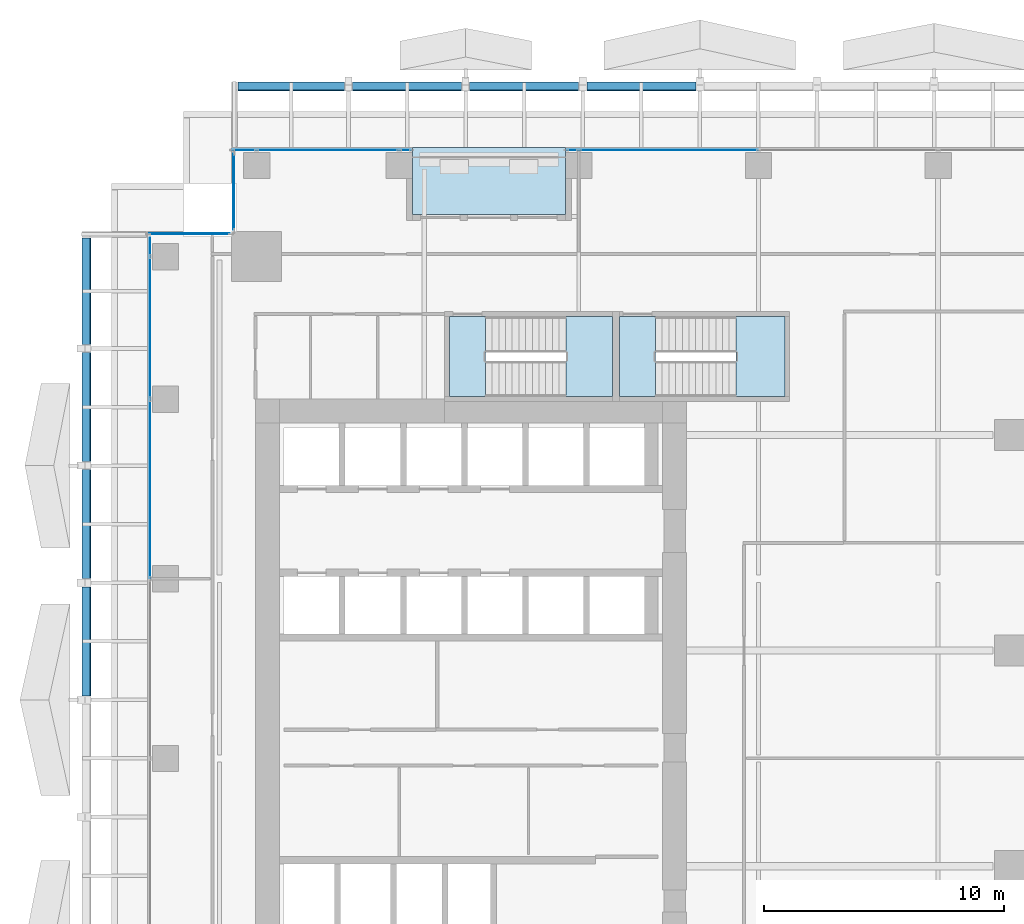
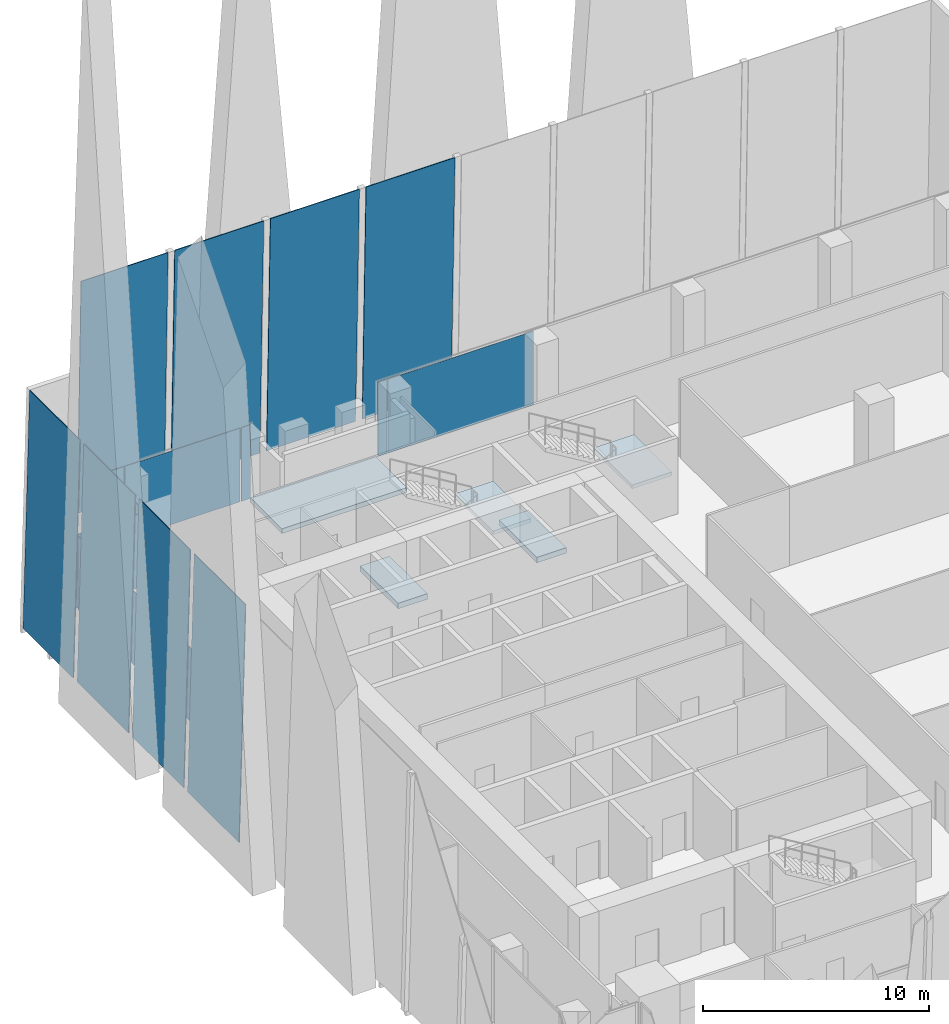
# One storey, part 26 of 37: 18 plates, 5 slabs, 7 elements without a shape of their own.
"""IFC4 building model written with IfcOpenShell, lengths in metres."""

from ifc_helpers import new_model, si_unit, direction, frame, origin, origin_2d, place, context, subcontext, project, spatial, polyline, rectangle, outline, extrude, source, transform, mapped, material, layer, layer_set, type_object, element, aggregate, save


model = new_model("IFC4")

# Units and contexts
model_context = context("Model", 3, precision=1e-05, world=origin(), true_north=direction((0.0, 1.0)))
body_context = subcontext(model_context, "Body", "Model", "MODEL_VIEW")
ifc_project = project(units=[si_unit("LENGTHUNIT", "METRE"), si_unit("AREAUNIT", "SQUARE_METRE"), si_unit("VOLUMEUNIT", "CUBIC_METRE"), si_unit("PLANEANGLEUNIT", "RADIAN"), si_unit("MASSUNIT", "GRAM", prefix="KILO")], contexts=[model_context])

# Site, building, storey
site_placement = place(None, origin())
site = spatial("IfcSite", under=ifc_project, at=site_placement, CompositionType="ELEMENT")
building_placement = place(site_placement, origin())
building = spatial("IfcBuilding", under=site, at=building_placement, Name="Khomas Fold Tower", CompositionType="ELEMENT")
storey_placement = place(building_placement, frame((0.0, 0.0, 101.5)))
storey = spatial("IfcBuildingStorey", under=building, at=storey_placement, Name="L21", CompositionType="ELEMENT", Elevation=101.5)

# Plates
ifc_material_1 = material(Name="Clear laminated glass", Category="glass")
ifc_layer_1 = layer(ifc_material_1, 0.0400390625)
ifc_layer_set_1 = layer_set([ifc_layer_1], Name="Clear laminated glass")
plate_type_1 = type_object("IfcPlateType", Name="SK-Clear laminated glass leaf", PredefinedType="SHEET", material=ifc_layer_set_1)
plate_1_placement = place(storey_placement, frame((5.27001953125, 55.239990234375, 0.0009765625), z_axis=(0.0, 0.9996570913, 0.026185870498), x_axis=(1.0, 0.0, 0.0)))
element("IfcPlate", 1, at=plate_1_placement, inside=storey, type_object=plate_type_1, Name="OUTER SKIN glass L21 N1", PredefinedType="SHEET", context=body_context, shape_type="SweptSolid", body=[
    extrude(outline(polyline([(0.0, 0.0), (4.448974609375, 0.0), (4.448974609375, -12.754373585666377), (0.0, -12.754373585666377), (0.0, 0.0)])), origin(), (0.0, 0.0, -1.0), 0.0400390625),
])
for number, where, z_axis, x_axis, name in (
    (2, (10.058837890625, 55.239990234375, 0.0009765625), (0.0, 0.9996570913, 0.026185870498), (1.0, 0.0, 0.0), "OUTER SKIN glass L21 N3"),
    (3, (14.94775390625, 55.239990234375, 0.0009765625), (0.0, 0.9996570913, 0.026185870498), (1.0, 0.0, 0.0), "OUTER SKIN glass L21 N5"),
    (4, (19.836669921875, 55.239990234375, 0.0009765625), (0.0, 0.9996570913, 0.026185870498), (1.0, 0.0, 0.0), "OUTER SKIN glass L21 N7"),
    (5, (-1.239990234375, 29.614501953125, 0.0009765625), (-0.9996570913, 0.0, 0.026185870498), (0.0, 1.0, 0.0), "OUTER SKIN glass L21 W11"),
    (6, (-1.239990234375, 34.50341796875, 0.0009765625), (-0.9996570913, 0.0, 0.026185870498), (0.0, 1.0, 0.0), "OUTER SKIN glass L21 W13"),
    (7, (-1.239990234375, 39.392333984375, 0.0009765625), (-0.9996570913, 0.0, 0.026185870498), (0.0, 1.0, 0.0), "OUTER SKIN glass L21 W15"),
):
    element("IfcPlate", number, at=place(storey_placement, frame(where, z_axis=z_axis, x_axis=x_axis)), inside=storey, type_object=plate_type_1, Name=name, PredefinedType="SHEET", context=body_context, shape_type="SweptSolid", body=[
        extrude(outline(polyline([(0.0, 0.0), (4.548828125, 0.0), (4.548828125, -12.754373585666377), (0.0, -12.754373585666377), (0.0, 0.0)])), origin(), (0.0, 0.0, -1.0), 0.0400390625),
    ])
plate_2_placement = place(storey_placement, frame((-1.239990234375, 44.281005859375, 0.0009765625), z_axis=(-0.9996570913, 0.0, 0.026185870498), x_axis=(0.0, 1.0, 0.0)))
element("IfcPlate", 8, at=plate_2_placement, inside=storey, type_object=plate_type_1, Name="OUTER SKIN glass L21 W17", PredefinedType="SHEET", context=body_context, shape_type="SweptSolid", body=[
    extrude(outline(polyline([(0.0, 0.0), (4.448974609375, 0.0), (4.448974609375, -12.754373585666377), (0.0, -12.754373585666377), (0.0, 0.0)])), origin(), (0.0, 0.0, -1.0), 0.0400390625),
])

# Curtain wall, plate
ifc_material_2 = material(Name="Aluminium framed double glazing", Category="aluminium")
curtain_wall_type = type_object("IfcCurtainWallType", Name="SK-Unitised clear-glass wall, growing floors CW1", PredefinedType="NOTDEFINED", material=ifc_material_2)
curtain_wall_1_placement = place(storey_placement, origin())
curtain_wall_1 = element("IfcCurtainWall", 9, at=curtain_wall_1_placement, inside=storey, type_object=curtain_wall_type, Name="CW1 run L21 09-0", PredefinedType="NOTDEFINED")
ifc_material_3 = material(Name="Clear double glazed unit")
ifc_layer_2 = layer(ifc_material_3, 0.031982421875)
ifc_layer_set_2 = layer_set([ifc_layer_2], Name="Clear double glazed unit")
plate_type_2 = type_object("IfcPlateType", Name="SK-Unitised clear-glass wall, growing floors glass panel CW1-P", PredefinedType="CURTAIN_PANEL", material=ifc_layer_set_2)
shared_shape_1 = source(origin(), body_context, "Body", "SweptSolid", [
    extrude(rectangle(XDim=0.760009765625, YDim=0.031982421875, at=origin_2d()), origin(), (0.0, 0.0, 1.0), 3.97998046875),
])
plate_3_placement = place(storey_placement, frame((1.60009765625, 48.360107421875, 0.0), z_axis=(0.0, 0.0, 1.0), x_axis=(0.0, -1.0, 0.0)))
plate_3 = element("IfcPlate", 10, at=plate_3_placement, type_object=plate_type_2, Name="CW1 glass panel 1", PredefinedType="CURTAIN_PANEL", context=body_context, shape_type="MappedRepresentation", body=[
    mapped(shared_shape_1, transform((0.0, 0.0, 0.0))),
])

curtain_wall_2_placement = place(storey_placement, origin())
curtain_wall_2 = element("IfcCurtainWall", 11, at=curtain_wall_2_placement, inside=storey, type_object=curtain_wall_type, Name="CW1 run L21 06-1", PredefinedType="NOTDEFINED")
shared_shape_2 = source(origin(), body_context, "Body", "SweptSolid", [
    extrude(rectangle(XDim=5.889892578125, YDim=0.031982421875, at=origin_2d()), origin(), (0.0, 0.0, 1.0), 3.97998046875),
])
plate_4_placement = place(storey_placement, frame((9.02490234375, 52.39990234375, 0.0), z_axis=(0.0, 0.0, 1.0), x_axis=(-1.0, 0.0, 0.0)))
plate_4 = element("IfcPlate", 12, at=plate_4_placement, type_object=plate_type_2, Name="CW1 glass panel 2", PredefinedType="CURTAIN_PANEL", context=body_context, shape_type="MappedRepresentation", body=[
    mapped(shared_shape_2, transform((0.0, 0.0, 0.0))),
])

# Plate
plate_5_placement = place(storey_placement, frame((1.60009765625, 44.97509765625, 0.0), z_axis=(0.0, 0.0, 1.0), x_axis=(0.0, -1.0, 0.0)))
plate_5 = element("IfcPlate", 13, at=plate_5_placement, type_object=plate_type_2, Name="CW1 glass panel 2", PredefinedType="CURTAIN_PANEL", context=body_context, shape_type="MappedRepresentation", body=[
    mapped(shared_shape_2, transform((0.0, 0.0, 0.0))),
])

# Curtain wall, plate
curtain_wall_3_placement = place(storey_placement, origin())
curtain_wall_3 = element("IfcCurtainWall", 14, at=curtain_wall_3_placement, inside=storey, type_object=curtain_wall_type, Name="CW1 run L21 06-0", PredefinedType="NOTDEFINED")
shared_shape_3 = source(origin(), body_context, "Body", "SweptSolid", [
    extrude(rectangle(XDim=7.43994140625, YDim=0.031982421875, at=origin_2d()), origin(), (0.0, 0.0, 1.0), 3.97998046875),
])
plate_6_placement = place(storey_placement, frame((23.25, 52.39990234375, 0.0), z_axis=(0.0, 0.0, 1.0), x_axis=(-1.0, 0.0, 0.0)))
plate_6 = element("IfcPlate", 15, at=plate_6_placement, type_object=plate_type_2, Name="CW1 glass panel 5", PredefinedType="CURTAIN_PANEL", context=body_context, shape_type="MappedRepresentation", body=[
    mapped(shared_shape_3, transform((0.0, 0.0, 0.0))),
])

# Plate
plate_7_placement = place(storey_placement, frame((1.60009765625, 38.25, 0.0), z_axis=(0.0, 0.0, 1.0), x_axis=(0.0, -1.0, 0.0)))
plate_7 = element("IfcPlate", 16, at=plate_7_placement, type_object=plate_type_2, Name="CW1 glass panel 3", PredefinedType="CURTAIN_PANEL", context=body_context, shape_type="MappedRepresentation", body=[
    mapped(shared_shape_3, transform((0.0, 0.0, 0.0))),
])

aggregate(curtain_wall_1, [plate_3, plate_5, plate_7])

shared_shape_4 = source(origin(), body_context, "Body", "SweptSolid", [
    extrude(rectangle(XDim=0.9599609375, YDim=0.031982421875, at=origin_2d()), origin(), (0.0, 0.0, 1.0), 3.97998046875),
])
plate_8_placement = place(storey_placement, frame((5.5400390625, 52.39990234375, 0.0), z_axis=(0.0, 0.0, 1.0), x_axis=(-1.0, 0.0, 0.0)))
plate_8 = element("IfcPlate", 17, at=plate_8_placement, type_object=plate_type_2, Name="CW1 glass panel 3", PredefinedType="CURTAIN_PANEL", context=body_context, shape_type="MappedRepresentation", body=[
    mapped(shared_shape_4, transform((0.0, 0.0, 0.0))),
])

# Curtain wall, plate
curtain_wall_4_placement = place(storey_placement, origin())
curtain_wall_4 = element("IfcCurtainWall", 18, at=curtain_wall_4_placement, inside=storey, type_object=curtain_wall_type, Name="CW1 corner return L21 07", PredefinedType="NOTDEFINED")
shared_shape_5 = source(origin(), body_context, "Body", "SweptSolid", [
    extrude(rectangle(XDim=3.179931640625, YDim=0.031982421875, at=origin_2d()), origin(), (0.0, 0.0, 1.0), 3.97998046875),
])
plate_9_placement = place(storey_placement, frame((5.10009765625, 50.64990234375, 0.0), z_axis=(0.0, 0.0, 1.0), x_axis=(0.0, -1.0, 0.0)))
plate_9 = element("IfcPlate", 19, at=plate_9_placement, type_object=plate_type_2, Name="CW1 glass panel 1", PredefinedType="CURTAIN_PANEL", context=body_context, shape_type="MappedRepresentation", body=[
    mapped(shared_shape_5, transform((0.0, 0.0, 0.0))),
])
aggregate(curtain_wall_4, [plate_9])

curtain_wall_5_placement = place(storey_placement, origin())
curtain_wall_5 = element("IfcCurtainWall", 20, at=curtain_wall_5_placement, inside=storey, type_object=curtain_wall_type, Name="CW1 corner return L21 08", PredefinedType="NOTDEFINED")
shared_shape_6 = source(origin(), body_context, "Body", "SweptSolid", [
    extrude(rectangle(XDim=3.3798828125, YDim=0.031982421875, at=origin_2d()), origin(), (0.0, 0.0, 1.0), 3.97998046875),
])
plate_10_placement = place(storey_placement, frame((3.25, 48.89990234375, 0.0), z_axis=(0.0, 0.0, 1.0), x_axis=(-1.0, 0.0, 0.0)))
plate_10 = element("IfcPlate", 21, at=plate_10_placement, type_object=plate_type_2, Name="CW1 glass panel 1", PredefinedType="CURTAIN_PANEL", context=body_context, shape_type="MappedRepresentation", body=[
    mapped(shared_shape_6, transform((0.0, 0.0, 0.0))),
])
aggregate(curtain_wall_5, [plate_10])

# Plate
shared_shape_7 = source(origin(), body_context, "Body", "SweptSolid", [
    extrude(rectangle(XDim=0.4599609375, YDim=0.031982421875, at=origin_2d()), origin(), (0.0, 0.0, 1.0), 3.97998046875),
])
plate_11_placement = place(storey_placement, frame((19.239990234375, 52.39990234375, 0.0), z_axis=(0.0, 0.0, 1.0), x_axis=(-1.0, 0.0, 0.0)))
plate_11 = element("IfcPlate", 22, at=plate_11_placement, type_object=plate_type_2, Name="CW1 glass panel 6", PredefinedType="CURTAIN_PANEL", context=body_context, shape_type="MappedRepresentation", body=[
    mapped(shared_shape_7, transform((0.0, 0.0, 0.0))),
])

aggregate(curtain_wall_3, [plate_6, plate_11])

plate_12_placement = place(storey_placement, frame((12.260009765625, 52.39990234375, 0.0), z_axis=(0.0, 0.0, 1.0), x_axis=(-1.0, 0.0, 0.0)))
plate_12 = element("IfcPlate", 23, at=plate_12_placement, type_object=plate_type_2, Name="CW1 glass panel 1", PredefinedType="CURTAIN_PANEL", context=body_context, shape_type="MappedRepresentation", body=[
    mapped(shared_shape_7, transform((0.0, 0.0, 0.0))),
])

aggregate(curtain_wall_2, [plate_12, plate_4, plate_8])

# Slab
ifc_material_4 = material(Name="Concrete C40/50", Category="concrete")
ifc_layer_3 = layer(ifc_material_4, 0.2548828125)
ifc_layer_set_3 = layer_set([ifc_layer_3], Name="Concrete C40/50")
slab_type_1 = type_object("IfcSlabType", Name="BL-Balcony deck 255", PredefinedType="FLOOR", material=ifc_layer_set_3)
shared_shape_8 = source(origin(), body_context, "Body", "SweptSolid", [
    extrude(outline(polyline([(12.550048828125, 49.699951171875), (18.949951171875, 49.699951171875), (18.949951171875, 52.5), (12.550048828125, 52.5), (12.550048828125, 49.699951171875)])), origin(), (0.0, 0.0, 1.0), 0.255126953125),
])
slab_1_placement = place(storey_placement, frame((0.0, 0.0, -0.300048828125)))
element("IfcSlab", 24, at=slab_1_placement, inside=storey, type_object=slab_type_1, Name="Balcony deck BAL-L21-N1", PredefinedType="FLOOR", context=body_context, shape_type="MappedRepresentation", body=[
    mapped(shared_shape_8, transform((0.0, 0.0, 0.0))),
])

# Stair, slab
ifc_material_5 = material(Name="Concrete C40/50", Category="concrete")
stair_type_1 = type_object("IfcStairType", Name="Stair ST1", PredefinedType="HALF_TURN_STAIR", material=ifc_material_5)
stair_1_placement = place(storey_placement, origin())
stair_1 = element("IfcStair", 25, at=stair_1_placement, inside=storey, type_object=stair_type_1, Name="L21 ST1", PredefinedType="HALF_TURN_STAIR")
ifc_material_6 = material(Name="Concrete C40/50", Category="concrete")
ifc_layer_4 = layer(ifc_material_6, 0.199951171875)
ifc_layer_set_4 = layer_set([ifc_layer_4], Name="Concrete C40/50")
slab_type_2 = type_object("IfcSlabType", Name="Stair landing 200", PredefinedType="LANDING", material=ifc_layer_set_4)
shared_shape_9 = source(origin(), body_context, "Body", "SweptSolid", [
    extrude(outline(polyline([(18.9599609375, 42.10009765625), (20.89990234375, 42.10009765625), (20.89990234375, 45.449951171875), (18.9599609375, 45.449951171875), (18.9599609375, 42.10009765625)])), origin(), (0.0, 0.0, 1.0), 0.199951171875),
])
slab_2_placement = place(storey_placement, frame((0.0, 0.0, 2.0)))
slab_2 = element("IfcSlab", 26, at=slab_2_placement, type_object=slab_type_2, Name="ST1 landing 1", PredefinedType="LANDING", context=body_context, shape_type="MappedRepresentation", body=[
    mapped(shared_shape_9, transform((0.0, 0.0, 0.0))),
])
aggregate(stair_1, [slab_2])

# Slab
ifc_material_7 = material(Name="Concrete C40/50", Category="concrete")
ifc_layer_5 = layer(ifc_material_7, 0.300048828125)
ifc_layer_set_5 = layer_set([ifc_layer_5], Name="Concrete C40/50")
slab_type_3 = type_object("IfcSlabType", Name="Stair floor landing 300", PredefinedType="LANDING", material=ifc_layer_set_5)
shared_shape_10 = source(origin(), body_context, "Body", "SweptSolid", [
    extrude(outline(polyline([(15.60009765625, 42.10009765625), (14.10009765625, 42.10009765625), (14.10009765625, 45.449951171875), (15.60009765625, 45.449951171875), (15.60009765625, 42.10009765625)])), origin(), (0.0, 0.0, 1.0), 0.300048828125),
])
slab_3_placement = place(storey_placement, frame((0.0, 0.0, -0.300048828125)))
element("IfcSlab", 27, at=slab_3_placement, inside=storey, type_object=slab_type_3, Name="ST1 floor landing", PredefinedType="LANDING", context=body_context, shape_type="MappedRepresentation", body=[
    mapped(shared_shape_10, transform((0.0, 0.0, 0.0))),
])

# Stair, slab
ifc_material_8 = material(Name="Concrete C40/50", Category="concrete")
stair_type_2 = type_object("IfcStairType", Name="Stair ST3", PredefinedType="HALF_TURN_STAIR", material=ifc_material_8)
stair_2_placement = place(storey_placement, origin())
stair_2 = element("IfcStair", 28, at=stair_2_placement, inside=storey, type_object=stair_type_2, Name="L21 ST3", PredefinedType="HALF_TURN_STAIR")
shared_shape_11 = source(origin(), body_context, "Body", "SweptSolid", [
    extrude(outline(polyline([(26.06005859375, 42.10009765625), (28.10009765625, 42.10009765625), (28.10009765625, 45.449951171875), (26.06005859375, 45.449951171875), (26.06005859375, 42.10009765625)])), origin(), (0.0, 0.0, 1.0), 0.199951171875),
])
slab_4_placement = place(storey_placement, frame((0.0, 0.0, 2.0)))
slab_4 = element("IfcSlab", 29, at=slab_4_placement, type_object=slab_type_2, Name="ST3 landing 1", PredefinedType="LANDING", context=body_context, shape_type="MappedRepresentation", body=[
    mapped(shared_shape_11, transform((0.0, 0.0, 0.0))),
])
aggregate(stair_2, [slab_4])

# Slab
shared_shape_12 = source(origin(), body_context, "Body", "SweptSolid", [
    extrude(outline(polyline([(22.699951171875, 42.10009765625), (21.199951171875, 42.10009765625), (21.199951171875, 45.449951171875), (22.699951171875, 45.449951171875), (22.699951171875, 42.10009765625)])), origin(), (0.0, 0.0, 1.0), 0.300048828125),
])
slab_5_placement = place(storey_placement, frame((0.0, 0.0, -0.300048828125)))
element("IfcSlab", 30, at=slab_5_placement, inside=storey, type_object=slab_type_3, Name="ST3 floor landing", PredefinedType="LANDING", context=body_context, shape_type="MappedRepresentation", body=[
    mapped(shared_shape_12, transform((0.0, 0.0, 0.0))),
])

save(model, "model.ifc")
